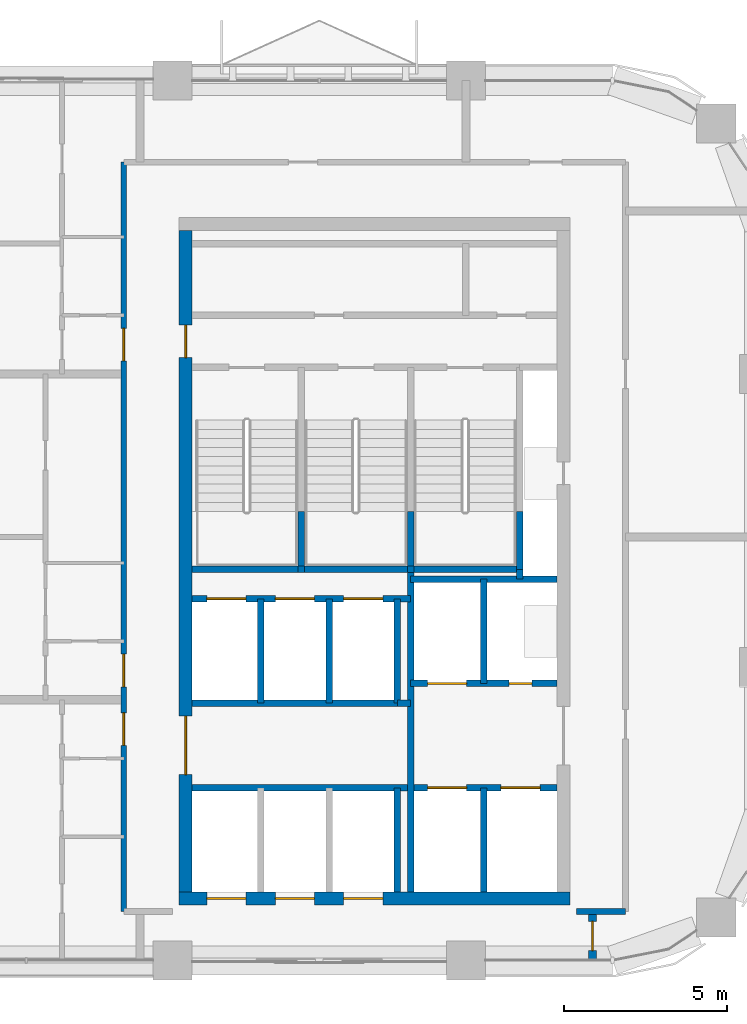
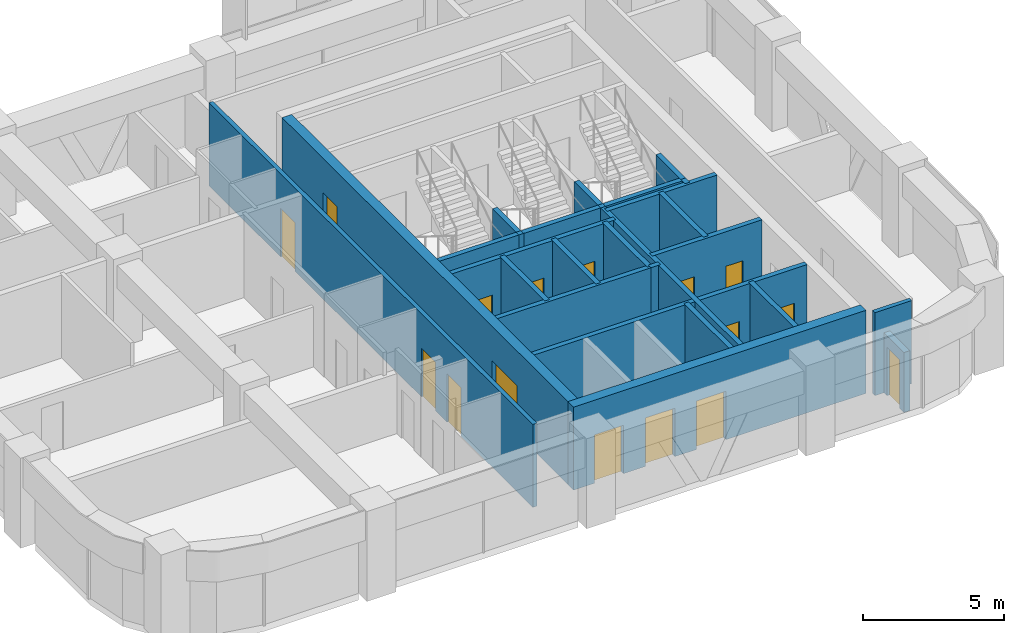
# One storey, part 7 of 10: 27 walls, 16 doors, 16 openings.
"""IFC4 building model written with IfcOpenShell, lengths in metres."""

import ifcopenshell
import ifcopenshell.guid

model = None  # the IFC model being written
_history = None  # IfcOwnerHistory: only IFC2X3 demands one
_inside = {}  # id of a spatial element -> (the spatial element, [elements in it])
_under = {}  # id of a project, library or spatial element -> (it, [spatial elements below it])
_declared = {}  # id of a project -> (the project, [libraries it declares])
_typed = {}  # id of a type object -> (the type object, [elements of that type])
_made_of = {}  # id of a material, layer set ... -> (it, [elements and type objects made of it])


def new_model(schema):
    """Start an empty IFC model of exactly this schema.

    Asked for "IFC4X3", IfcOpenShell would pick the latest addendum, in which some entities
    have other attributes; the version numbers below select the first issue.
    IFC2X3 requires an IfcOwnerHistory on every rooted entity: one is made here for all.
    """
    global model, _history
    if schema == "IFC4X3":
        model = ifcopenshell.file(schema_version=(4, 3, 0, 0))
    else:
        model = ifcopenshell.file(schema=schema)
    _inside.clear()
    _under.clear()
    _declared.clear()
    _typed.clear()
    _made_of.clear()
    _history = None
    if model.schema == "IFC2X3":
        org = make("IfcOrganization", Name="unknown")
        user = make(
            "IfcPersonAndOrganization",
            ThePerson=make("IfcPerson", FamilyName="unknown"),
            TheOrganization=org,
        )
        app = make(
            "IfcApplication",
            ApplicationDeveloper=org,
            Version="unknown",
            ApplicationFullName="unknown",
            ApplicationIdentifier="unknown",
        )
        _history = make(
            "IfcOwnerHistory",
            OwningUser=user,
            OwningApplication=app,
            ChangeAction="ADDED",
            CreationDate=0,
        )
    return model


def make(cls, **values):
    """One entity of the class cls with the attributes given. An attribute that is None is left unset."""
    return model.create_entity(
        cls, **{name: value for name, value in values.items() if value is not None}
    )


def rooted(cls, **values):
    """An entity with a GlobalId (a new one), such as an element, a storey or a relation."""
    return make(cls, GlobalId=ifcopenshell.guid.new(), OwnerHistory=_history, **values)


def si_unit(unit_type, name, prefix=None):
    """IfcSIUnit, for example si_unit("LENGTHUNIT", "METRE", prefix="MILLI")."""
    return make("IfcSIUnit", UnitType=unit_type, Prefix=prefix, Name=name)


def assignment(units):
    """IfcUnitAssignment: the units of a project."""
    return None if units is None else make("IfcUnitAssignment", Units=units)


def point(xyz):
    """IfcCartesianPoint."""
    return None if xyz is None else make("IfcCartesianPoint", Coordinates=xyz)


def direction(xyz):
    """IfcDirection."""
    return None if xyz is None else make("IfcDirection", DirectionRatios=xyz)


def frame(location, z_axis=None, x_axis=None):
    """IfcAxis2Placement3D, a coordinate frame: its origin and axes. An axis left out is left unset."""
    return make(
        "IfcAxis2Placement3D",
        Location=point(location),
        Axis=direction(z_axis),
        RefDirection=direction(x_axis),
    )


def frame_2d(location, x_axis=None):
    """IfcAxis2Placement2D, a coordinate frame in the plane: its origin and x axis."""
    return make(
        "IfcAxis2Placement2D", Location=point(location), RefDirection=direction(x_axis)
    )


def origin():
    """The frame at (0, 0, 0) with its axes left unset."""
    return frame((0.0, 0.0, 0.0))


def place(relative_to, where):
    """IfcLocalPlacement: puts the frame where relative to a parent placement (None: the world)."""
    return make(
        "IfcLocalPlacement", PlacementRelTo=relative_to, RelativePlacement=where
    )


def context(
    kind, dimensions, precision=None, world=None, true_north=None, identifier=None
):
    """IfcGeometricRepresentationContext, for example the 3D "Model" context."""
    return make(
        "IfcGeometricRepresentationContext",
        ContextIdentifier=identifier,
        ContextType=kind,
        CoordinateSpaceDimension=dimensions,
        Precision=precision,
        WorldCoordinateSystem=world,
        TrueNorth=true_north,
    )


def subcontext(parent, identifier, kind, view, scale=None):
    """IfcGeometricRepresentationSubContext, for example "Body" below "Model"."""
    return make(
        "IfcGeometricRepresentationSubContext",
        ContextIdentifier=identifier,
        ContextType=kind,
        ParentContext=parent,
        TargetScale=scale,
        TargetView=view,
    )


def project(units=None, contexts=None):
    """IfcProject with its units and contexts."""
    return rooted(
        "IfcProject",
        Name="project",
        RepresentationContexts=contexts,
        UnitsInContext=assignment(units),
    )


def spatial(cls, under=None, at=None, **own):
    """A site, building, storey or space (cls), placed at a placement, below another one or the project."""
    s = rooted(cls, ObjectPlacement=at, **own)
    if under is not None:
        _under.setdefault(under.id(), (under, []))[1].append(s)
    return s


def profile(cls, at=None, kind="AREA", **sizes):
    """A parametric profile (cls). Its sizes go by their IFC names, for example OverallWidth=200.0."""
    return make(cls, ProfileType=kind, Position=at, **sizes)


def rectangle(**sizes):
    """IfcRectangleProfileDef."""
    return profile("IfcRectangleProfileDef", **sizes)


def extrude(swept, where, along, depth):
    """IfcExtrudedAreaSolid: the profile swept, set in the frame where, extruded along a direction by depth."""
    return make(
        "IfcExtrudedAreaSolid",
        SweptArea=swept,
        Position=where,
        ExtrudedDirection=direction(along),
        Depth=depth,
    )


def shape(context_of_items, identifier, shape_type, items):
    """IfcShapeRepresentation: the items that make up one representation, for example the "Body"."""
    return make(
        "IfcShapeRepresentation",
        ContextOfItems=context_of_items,
        RepresentationIdentifier=identifier,
        RepresentationType=shape_type,
        Items=items,
    )


def material(Name=None, Category=None):
    """IfcMaterial."""
    return make("IfcMaterial", Name=Name, Category=Category)


def layer(
    of_material, thickness, ventilated=None, Name=None, Category=None, Priority=None
):
    """IfcMaterialLayer: one layer of a wall or slab, of a material (None: an air gap)."""
    return make(
        "IfcMaterialLayer",
        Material=of_material,
        LayerThickness=thickness,
        IsVentilated=ventilated,
        Name=Name,
        Category=Category,
        Priority=Priority,
    )


def layer_set(layers, Name=None):
    """IfcMaterialLayerSet."""
    return make("IfcMaterialLayerSet", MaterialLayers=layers, LayerSetName=Name)


def made_of(thing, what):
    """Note that an element or type object is made of a material, layer set ...; save() writes the relation."""
    if what is not None:
        _made_of.setdefault(what.id(), (what, []))[1].append(thing)
    return thing


def type_object(cls, material=None, **own):
    """A type object (cls), such as IfcWallType, which elements share."""
    return made_of(rooted(cls, **own), material)


def element(
    cls,
    number,
    at=None,
    inside=None,
    cuts=None,
    type_object=None,
    material=None,
    context=None,
    identifier="Body",
    shape_type=None,
    held_by="IfcProductDefinitionShape",
    body=None,
    shapes=None,
    **own,
):
    """One element of the class cls, such as IfcWall. Its Tag is "e" and its number.

    at: its placement. inside: the storey or other place that contains it. cuts: it is an
    opening in that element (IfcRelVoidsElement). A single representation is given by context,
    identifier, shape_type and body (its items); several are given by shapes. held_by: the class
    of the entity that holds the representations. save() writes the other relations.
    """
    e = rooted(cls, Tag="e%d" % number, ObjectPlacement=at, **own)
    if body is not None:
        shapes = [shape(context, identifier, shape_type, body)]
    if shapes is not None:
        e.Representation = make(held_by, Representations=shapes)
    if inside is not None:
        _inside.setdefault(inside.id(), (inside, []))[1].append(e)
    if cuts is not None:
        rooted(
            "IfcRelVoidsElement", RelatingBuildingElement=cuts, RelatedOpeningElement=e
        )
    if type_object is not None:
        _typed.setdefault(type_object.id(), (type_object, []))[1].append(e)
    return made_of(e, material)


def fill(opening, filler):
    """IfcRelFillsElement: the door or window that sits in an opening."""
    return rooted(
        "IfcRelFillsElement",
        RelatingOpeningElement=opening,
        RelatedBuildingElement=filler,
    )


def aggregate(whole, parts):
    """IfcRelAggregates: a whole, such as a stair, and the parts it consists of."""
    return rooted("IfcRelAggregates", RelatingObject=whole, RelatedObjects=parts)


def save(model, path):
    """Write the relations noted so far, then the file.

    IfcRelAggregates (storeys below a building ...), IfcRelContainedInSpatialStructure (elements
    in a storey), IfcRelDefinesByType, IfcRelAssociatesMaterial and IfcRelDeclares: one each for
    every whole, place, type object, material and project.
    """
    for whole, parts in _under.values():
        aggregate(whole, parts)
    for where, things in _inside.values():
        rooted(
            "IfcRelContainedInSpatialStructure",
            RelatedElements=things,
            RelatingStructure=where,
        )
    for kind, things in _typed.values():
        rooted("IfcRelDefinesByType", RelatedObjects=things, RelatingType=kind)
    for what, things in _made_of.values():
        rooted("IfcRelAssociatesMaterial", RelatedObjects=things, RelatingMaterial=what)
    for by, libraries in _declared.values():
        rooted("IfcRelDeclares", RelatingContext=by, RelatedDefinitions=libraries)
    model.write(path)


model = new_model("IFC4")

# Units and contexts
model_context = context("Model", 3, precision=1e-05, world=origin(), true_north=direction((0.0, 1.0)))
body_context = subcontext(model_context, "Body", "Model", "MODEL_VIEW")
ifc_project = project(units=[si_unit("LENGTHUNIT", "METRE"), si_unit("AREAUNIT", "SQUARE_METRE"), si_unit("VOLUMEUNIT", "CUBIC_METRE"), si_unit("PLANEANGLEUNIT", "RADIAN"), si_unit("MASSUNIT", "GRAM", prefix="KILO")], contexts=[model_context])

# Site, building, storey
site_placement = place(None, origin())
site = spatial("IfcSite", under=ifc_project, at=site_placement, CompositionType="ELEMENT")
building_placement = place(site_placement, origin())
building = spatial("IfcBuilding", under=site, at=building_placement, Name="Tessera Arch", CompositionType="ELEMENT")
storey_placement = place(building_placement, frame((0.0, 0.0, 242.300048828125)))
storey = spatial("IfcBuildingStorey", under=building, at=storey_placement, Name="L58", CompositionType="ELEMENT", Elevation=242.300048828125)

# Wall
ifc_material_1 = material(Name="Gypsum board on steel stud", Category="steel")
ifc_layer_1 = layer(ifc_material_1, 0.125)
ifc_layer_set_1 = layer_set([ifc_layer_1], Name="Core partition 125 EI 60")
wall_type_1 = type_object("IfcWallType", Name="Core partition 125 EI 60", PredefinedType="PARTITIONING", material=ifc_layer_set_1)
wall_1_placement = place(storey_placement, frame((42.89990234375, 34.89990234375, 0.0), z_axis=(0.0, 0.0, 1.0), x_axis=(1.0, 0.0, 0.0)))
element("IfcWall", 1, at=wall_1_placement, inside=storey, type_object=wall_type_1, Name="L58 C1 partition wall 19", PredefinedType="PARTITIONING", context=body_context, shape_type="SweptSolid", body=[
    extrude(rectangle(XDim=0.400146484375, YDim=0.199951171875, at=frame_2d((0.2001953125, 0.0))), origin(), (0.0, 0.0, 1.0), 3.599853515625),
])

# Wall, openings, doors
ifc_material_2 = material(Name="Concrete C50/60", Category="concrete")
ifc_layer_2 = layer(ifc_material_2, 0.39990234375)
ifc_layer_set_2 = layer_set([ifc_layer_2], Name="Core shell wall 400 C50-60")
wall_type_2 = type_object("IfcWallType", Name="Core shell wall 400 C50-60", PredefinedType="SHEAR", material=ifc_layer_set_2)
wall_2_placement = place(storey_placement, frame((36.199951171875, 28.89990234375, 0.0), z_axis=(0.0, 0.0, 1.0), x_axis=(1.0, 0.0, 0.0)))
wall_2 = element("IfcWall", 2, at=wall_2_placement, inside=storey, type_object=wall_type_2, Name="L58 C1 core wall S", PredefinedType="SHEAR", context=body_context, shape_type="SweptSolid", body=[
    extrude(rectangle(XDim=12.0, YDim=0.39990234375, at=frame_2d((6.0, 0.0))), origin(), (0.0, 0.0, 1.0), 3.599853515625),
])
opening_1_placement = place(wall_2_placement, frame((0.85009765625, 0.0, 0.0)))
opening_1 = element("IfcOpeningElement", 3, at=opening_1_placement, cuts=wall_2, Name="Opening L58-C01", PredefinedType="OPENING", context=body_context, shape_type="SweptSolid", body=[
    extrude(rectangle(XDim=1.199951171875, YDim=2.10009765625, at=frame_2d((0.60009765625, 1.050048828125))), frame((0.0, 0.2099609375, 0.0), z_axis=(0.0, -1.0, 0.0), x_axis=(1.0, 0.0, 0.0)), (0.0, 0.0, 1.0), 0.419921875),
])
opening_2_placement = place(wall_2_placement, frame((2.949951171875, 0.0, 0.0)))
opening_2 = element("IfcOpeningElement", 4, at=opening_2_placement, cuts=wall_2, Name="Opening L58-C03", PredefinedType="OPENING", context=body_context, shape_type="SweptSolid", body=[
    extrude(rectangle(XDim=1.199951171875, YDim=2.10009765625, at=frame_2d((0.60009765625, 1.050048828125))), frame((0.0, 0.2099609375, 0.0), z_axis=(0.0, -1.0, 0.0), x_axis=(1.0, 0.0, 0.0)), (0.0, 0.0, 1.0), 0.419921875),
])
opening_3_placement = place(wall_2_placement, frame((5.050048828125, 0.0, 0.0)))
opening_3 = element("IfcOpeningElement", 5, at=opening_3_placement, cuts=wall_2, Name="Opening L58-C05", PredefinedType="OPENING", context=body_context, shape_type="SweptSolid", body=[
    extrude(rectangle(XDim=1.199951171875, YDim=2.10009765625, at=frame_2d((0.60009765625, 1.050048828125))), frame((0.0, 0.2099609375, 0.0), z_axis=(0.0, -1.0, 0.0), x_axis=(1.0, 0.0, 0.0)), (0.0, 0.0, 1.0), 0.419921875),
])
ifc_material_3 = material(Name="Stainless steel AISI 304", Category="steel")
door_type_1 = type_object("IfcDoorType", Name="Sliding landing door 1200 x 2100", OperationType="SLIDING_TO_LEFT", PredefinedType="DOOR", material=ifc_material_3)
door_1_placement = place(opening_1_placement, origin())
door_1 = element("IfcDoor", 6, at=door_1_placement, inside=storey, type_object=door_type_1, Name="L58 HR1 lift landing door C01 type LD", OperationType="SLIDING_TO_LEFT", OverallHeight=2.10009765625, OverallWidth=1.199951171875, PredefinedType="DOOR", context=body_context, shape_type="SweptSolid", body=[
    extrude(rectangle(XDim=1.199951171875, YDim=2.10009765625, at=frame_2d((0.60009765625, 1.050048828125))), frame((0.0, 0.02490234375, 0.0), z_axis=(0.0, -1.0, 0.0), x_axis=(1.0, 0.0, 0.0)), (0.0, 0.0, 1.0), 0.050048828125),
])
fill(opening_1, door_1)
door_2_placement = place(opening_2_placement, origin())
door_2 = element("IfcDoor", 7, at=door_2_placement, inside=storey, type_object=door_type_1, Name="L58 HR2 lift landing door C03 type LD", OperationType="SLIDING_TO_LEFT", OverallHeight=2.10009765625, OverallWidth=1.199951171875, PredefinedType="DOOR", context=body_context, shape_type="SweptSolid", body=[
    extrude(rectangle(XDim=1.199951171875, YDim=2.10009765625, at=frame_2d((0.60009765625, 1.050048828125))), frame((0.0, 0.02490234375, 0.0), z_axis=(0.0, -1.0, 0.0), x_axis=(1.0, 0.0, 0.0)), (0.0, 0.0, 1.0), 0.050048828125),
])
fill(opening_2, door_2)
door_3_placement = place(opening_3_placement, origin())
door_3 = element("IfcDoor", 8, at=door_3_placement, inside=storey, type_object=door_type_1, Name="L58 HR3 lift landing door C05 type LD", OperationType="SLIDING_TO_LEFT", OverallHeight=2.10009765625, OverallWidth=1.199951171875, PredefinedType="DOOR", context=body_context, shape_type="SweptSolid", body=[
    extrude(rectangle(XDim=1.199951171875, YDim=2.10009765625, at=frame_2d((0.60009765625, 1.050048828125))), frame((0.0, 0.02490234375, 0.0), z_axis=(0.0, -1.0, 0.0), x_axis=(1.0, 0.0, 0.0)), (0.0, 0.0, 1.0), 0.050048828125),
])
fill(opening_3, door_3)

wall_3_placement = place(storey_placement, frame((36.39990234375, 29.10009765625, 0.0), z_axis=(0.0, 0.0, 1.0), x_axis=(0.0, 1.0, 0.0)))
wall_3 = element("IfcWall", 9, at=wall_3_placement, inside=storey, type_object=wall_type_2, Name="L58 C1 core wall W", PredefinedType="SHEAR", context=body_context, shape_type="SweptSolid", body=[
    extrude(rectangle(XDim=20.2998046875, YDim=0.39990234375, at=frame_2d((10.14990234375, 0.0))), origin(), (0.0, 0.0, 1.0), 3.599853515625),
])
opening_4_placement = place(wall_3_placement, frame((3.60009765625, 0.0, 0.0)))
opening_4 = element("IfcOpeningElement", 10, at=opening_4_placement, cuts=wall_3, Name="Opening L58-C10", PredefinedType="OPENING", context=body_context, shape_type="SweptSolid", body=[
    extrude(rectangle(XDim=1.800048828125, YDim=2.10009765625, at=frame_2d((0.89990234375, 1.050048828125))), frame((0.0, 0.2099609375, 0.0), z_axis=(0.0, -1.0, 0.0), x_axis=(1.0, 0.0, 0.0)), (0.0, 0.0, 1.0), 0.419921875),
])
opening_5_placement = place(wall_3_placement, frame((16.39990234375, 0.0, 0.0)))
opening_5 = element("IfcOpeningElement", 11, at=opening_5_placement, cuts=wall_3, Name="Opening L58-C17", PredefinedType="OPENING", context=body_context, shape_type="SweptSolid", body=[
    extrude(rectangle(XDim=1.0, YDim=2.10009765625, at=frame_2d((0.5, 1.050048828125))), frame((0.0, 0.2099609375, 0.0), z_axis=(0.0, -1.0, 0.0), x_axis=(1.0, 0.0, 0.0)), (0.0, 0.0, 1.0), 0.419921875),
])
ifc_material_4 = material(Name="Steel door leaf", Category="steel")
door_type_2 = type_object("IfcDoorType", Name="Corridor door FD60 1000 x 2100", OperationType="SINGLE_SWING_LEFT", PredefinedType="DOOR", material=ifc_material_4)
door_4_placement = place(opening_5_placement, origin())
door_4 = element("IfcDoor", 12, at=door_4_placement, inside=storey, type_object=door_type_2, Name="L58 C1 door 17 C17 type D12", OperationType="SINGLE_SWING_RIGHT", OverallHeight=2.10009765625, OverallWidth=1.0, PredefinedType="DOOR", context=body_context, shape_type="SweptSolid", body=[
    extrude(rectangle(XDim=1.0, YDim=2.10009765625, at=frame_2d((0.5, 1.050048828125))), frame((0.0, 0.02490234375, 0.0), z_axis=(0.0, -1.0, 0.0), x_axis=(1.0, 0.0, 0.0)), (0.0, 0.0, 1.0), 0.050048828125),
])
fill(opening_5, door_4)
ifc_material_5 = material(Name="Glazed steel door leaf", Category="steel")
door_type_3 = type_object("IfcDoorType", Name="Lobby double door FD30S 1800 x 2100", OperationType="DOUBLE_DOOR_SINGLE_SWING", PredefinedType="DOOR", material=ifc_material_5)
door_5_placement = place(opening_4_placement, origin())
door_5 = element("IfcDoor", 13, at=door_5_placement, inside=storey, type_object=door_type_3, Name="L58 C1 door 10 C10 type D06", OperationType="DOUBLE_DOOR_SINGLE_SWING", OverallHeight=2.10009765625, OverallWidth=1.800048828125, PredefinedType="DOOR", context=body_context, shape_type="SweptSolid", body=[
    extrude(rectangle(XDim=1.800048828125, YDim=2.10009765625, at=frame_2d((0.89990234375, 1.050048828125))), frame((0.0, 0.02490234375, 0.0), z_axis=(0.0, -1.0, 0.0), x_axis=(1.0, 0.0, 0.0)), (0.0, 0.0, 1.0), 0.050048828125),
])
fill(opening_4, door_5)

# Wall
ifc_material_6 = material(Name="Gypsum board on deep steel stud with mineral wool", Category="steel")
ifc_layer_3 = layer(ifc_material_6, 0.175048828125)
ifc_layer_set_3 = layer_set([ifc_layer_3], Name="Corridor wall 175 EI 60")
wall_type_3 = type_object("IfcWallType", Name="Corridor wall 175 EI 60", PredefinedType="PARTITIONING", material=ifc_layer_set_3)
wall_4_placement = place(storey_placement, frame((48.39990234375, 28.5, 0.0), z_axis=(0.0, 0.0, 1.0), x_axis=(1.0, 0.0, 0.0)))
element("IfcWall", 14, at=wall_4_placement, inside=storey, type_object=wall_type_3, Name="L58 partition 2", PredefinedType="PARTITIONING", context=body_context, shape_type="SweptSolid", body=[
    extrude(rectangle(XDim=1.5, YDim=0.175048828125, at=frame_2d((0.75, 0.0))), origin(), (0.0, 0.0, 1.0), 3.599853515625),
])

# Wall, openings, doors
wall_5_placement = place(storey_placement, frame((34.5, 28.5, 0.0), z_axis=(0.0, 0.0, 1.0), x_axis=(0.0, 1.0, 0.0)))
wall_5 = element("IfcWall", 15, at=wall_5_placement, inside=storey, type_object=wall_type_3, Name="L58 partition 4", PredefinedType="PARTITIONING", context=body_context, shape_type="SweptSolid", body=[
    extrude(rectangle(XDim=23.0, YDim=0.175048828125, at=frame_2d((11.5, 0.0))), origin(), (0.0, 0.0, 1.0), 3.599853515625),
])
opening_6_placement = place(wall_5_placement, frame((5.10009765625, 0.0, 0.0)))
opening_6 = element("IfcOpeningElement", 16, at=opening_6_placement, cuts=wall_5, Name="Opening L58-D001", PredefinedType="OPENING", context=body_context, shape_type="SweptSolid", body=[
    extrude(rectangle(XDim=1.0, YDim=2.10009765625, at=frame_2d((0.5, 1.050048828125))), frame((0.0, 0.097412109375, 0.0), z_axis=(0.0, -1.0, 0.0), x_axis=(1.0, 0.0, 0.0)), (0.0, 0.0, 1.0), 0.195068359375),
])
opening_7_placement = place(wall_5_placement, frame((6.89990234375, 0.0, 0.0)))
opening_7 = element("IfcOpeningElement", 17, at=opening_7_placement, cuts=wall_5, Name="Opening L58-D007", PredefinedType="OPENING", context=body_context, shape_type="SweptSolid", body=[
    extrude(rectangle(XDim=1.0, YDim=2.10009765625, at=frame_2d((0.5, 1.050048828125))), frame((0.0, 0.097412109375, 0.0), z_axis=(0.0, -1.0, 0.0), x_axis=(1.0, 0.0, 0.0)), (0.0, 0.0, 1.0), 0.195068359375),
])
opening_8_placement = place(wall_5_placement, frame((16.89990234375, 0.0, 0.0)))
opening_8 = element("IfcOpeningElement", 18, at=opening_8_placement, cuts=wall_5, Name="Opening L58-D015", PredefinedType="OPENING", context=body_context, shape_type="SweptSolid", body=[
    extrude(rectangle(XDim=1.0, YDim=2.10009765625, at=frame_2d((0.5, 1.050048828125))), frame((0.0, 0.097412109375, 0.0), z_axis=(0.0, -1.0, 0.0), x_axis=(1.0, 0.0, 0.0)), (0.0, 0.0, 1.0), 0.195068359375),
])
ifc_material_7 = material(Name="Fire-rated door leaf")
door_type_4 = type_object("IfcDoorType", Name="Entrance door FD30S 1000 x 2100", OperationType="SINGLE_SWING_LEFT", PredefinedType="DOOR", material=ifc_material_7)
door_6_placement = place(opening_6_placement, origin())
door_6 = element("IfcDoor", 19, at=door_6_placement, inside=storey, type_object=door_type_4, Name="L58 door D001 type D03", OperationType="SINGLE_SWING_RIGHT", OverallHeight=2.10009765625, OverallWidth=1.0, PredefinedType="DOOR", context=body_context, shape_type="SweptSolid", body=[
    extrude(rectangle(XDim=1.0, YDim=2.10009765625, at=frame_2d((0.5, 1.050048828125))), frame((0.0, 0.02490234375, 0.0), z_axis=(0.0, -1.0, 0.0), x_axis=(1.0, 0.0, 0.0)), (0.0, 0.0, 1.0), 0.050048828125),
])
fill(opening_6, door_6)
door_7_placement = place(opening_7_placement, origin())
door_7 = element("IfcDoor", 20, at=door_7_placement, inside=storey, type_object=door_type_4, Name="L58 door D007 type D03", OperationType="SINGLE_SWING_RIGHT", OverallHeight=2.10009765625, OverallWidth=1.0, PredefinedType="DOOR", context=body_context, shape_type="SweptSolid", body=[
    extrude(rectangle(XDim=1.0, YDim=2.10009765625, at=frame_2d((0.5, 1.050048828125))), frame((0.0, 0.02490234375, 0.0), z_axis=(0.0, -1.0, 0.0), x_axis=(1.0, 0.0, 0.0)), (0.0, 0.0, 1.0), 0.050048828125),
])
fill(opening_7, door_7)
door_8_placement = place(opening_8_placement, origin())
door_8 = element("IfcDoor", 21, at=door_8_placement, inside=storey, type_object=door_type_4, Name="L58 door D015 type D03", OperationType="SINGLE_SWING_RIGHT", OverallHeight=2.10009765625, OverallWidth=1.0, PredefinedType="DOOR", context=body_context, shape_type="SweptSolid", body=[
    extrude(rectangle(XDim=1.0, YDim=2.10009765625, at=frame_2d((0.5, 1.050048828125))), frame((0.0, 0.02490234375, 0.0), z_axis=(0.0, -1.0, 0.0), x_axis=(1.0, 0.0, 0.0)), (0.0, 0.0, 1.0), 0.050048828125),
])
fill(opening_8, door_8)

# Wall, opening, door
ifc_material_8 = material(Name="Double gypsum board on twin steel stud with acoustic mineral wool", Category="steel")
ifc_layer_4 = layer(ifc_material_8, 0.25)
ifc_layer_set_4 = layer_set([ifc_layer_4], Name="Party wall 250 EI 60")
wall_type_4 = type_object("IfcWallType", Name="Party wall 250 EI 60", PredefinedType="PARTITIONING", material=ifc_layer_set_4)
wall_6_placement = place(storey_placement, frame((48.888916015625, 27.0, 0.0), z_axis=(0.0, 0.0, 1.0), x_axis=(0.0, 1.0, 0.0)))
wall_6 = element("IfcWall", 22, at=wall_6_placement, inside=storey, type_object=wall_type_4, Name="L58 partition 23", PredefinedType="PARTITIONING", context=body_context, shape_type="SweptSolid", body=[
    extrude(rectangle(XDim=1.5, YDim=0.25, at=frame_2d((0.75, 0.0))), origin(), (0.0, 0.0, 1.0), 2.599853515625),
])
opening_9_placement = place(wall_6_placement, frame((0.300048828125, 0.0, 0.0)))
opening_9 = element("IfcOpeningElement", 23, at=opening_9_placement, cuts=wall_6, Name="Opening L58-D024", PredefinedType="OPENING", context=body_context, shape_type="SweptSolid", body=[
    extrude(rectangle(XDim=0.89990234375, YDim=2.10009765625, at=frame_2d((0.449951171875, 1.050048828125))), frame((0.0, 0.135009765625, 0.0), z_axis=(0.0, -1.0, 0.0), x_axis=(1.0, 0.0, 0.0)), (0.0, 0.0, 1.0), 0.27001953125),
])
ifc_material_9 = material(Name="Timber door leaf", Category="wood")
door_type_5 = type_object("IfcDoorType", Name="Room door 900 x 2100", OperationType="SINGLE_SWING_LEFT", PredefinedType="DOOR", material=ifc_material_9)
door_9_placement = place(opening_9_placement, origin())
door_9 = element("IfcDoor", 24, at=door_9_placement, inside=storey, type_object=door_type_5, Name="L58 door D024 type D01", OperationType="SINGLE_SWING_RIGHT", OverallHeight=2.10009765625, OverallWidth=0.89990234375, PredefinedType="DOOR", context=body_context, shape_type="SweptSolid", body=[
    extrude(rectangle(XDim=0.89990234375, YDim=2.10009765625, at=frame_2d((0.449951171875, 1.050048828125))), frame((0.0, 0.02490234375, 0.0), z_axis=(0.0, -1.0, 0.0), x_axis=(1.0, 0.0, 0.0)), (0.0, 0.0, 1.0), 0.050048828125),
])
fill(opening_9, door_9)

# Walls
ifc_material_10 = material(Name="Concrete C40/50", Category="concrete")
ifc_layer_5 = layer(ifc_material_10, 0.199951171875)
ifc_layer_set_5 = layer_set([ifc_layer_5], Name="Shaft wall 200 EI 120")
wall_type_5 = type_object("IfcWallType", Name="Shaft wall 200 EI 120", PredefinedType="SOLIDWALL", material=ifc_layer_set_5)
for number, where, z_axis, x_axis, name in (
    (25, (38.699951171875, 34.89990234375, 0.0), (0.0, 0.0, 1.0), (0.0, 1.0, 0.0), "L58 C1 shaft wall 2"),
    (26, (40.800048828125, 34.89990234375, 0.0), (0.0, 0.0, 1.0), (0.0, 1.0, 0.0), "L58 C1 shaft wall 6"),
):
    element("IfcWall", number, at=place(storey_placement, frame(where, z_axis=z_axis, x_axis=x_axis)), inside=storey, type_object=wall_type_5, Name=name, PredefinedType="SOLIDWALL", context=body_context, shape_type="SweptSolid", body=[
        extrude(rectangle(XDim=3.2001953125, YDim=0.199951171875, at=frame_2d((1.60009765625, 0.0))), origin(), (0.0, 0.0, 1.0), 3.599853515625),
    ])
wall_7_placement = place(storey_placement, frame((42.89990234375, 29.10009765625, 0.0), z_axis=(0.0, 0.0, 1.0), x_axis=(0.0, 1.0, 0.0)))
element("IfcWall", 27, at=wall_7_placement, inside=storey, type_object=wall_type_5, Name="L58 C1 shaft wall 7", PredefinedType="SOLIDWALL", context=body_context, shape_type="SweptSolid", body=[
    extrude(rectangle(XDim=3.199951171875, YDim=0.199951171875, at=frame_2d((1.60009765625, 0.0))), origin(), (0.0, 0.0, 1.0), 3.599853515625),
])
wall_8_placement = place(storey_placement, frame((42.89990234375, 34.89990234375, 0.0), z_axis=(0.0, 0.0, 1.0), x_axis=(0.0, 1.0, 0.0)))
element("IfcWall", 28, at=wall_8_placement, inside=storey, type_object=wall_type_5, Name="L58 C1 shaft wall 8", PredefinedType="SOLIDWALL", context=body_context, shape_type="SweptSolid", body=[
    extrude(rectangle(XDim=3.2001953125, YDim=0.199951171875, at=frame_2d((1.60009765625, 0.0))), origin(), (0.0, 0.0, 1.0), 3.599853515625),
])
wall_9_placement = place(storey_placement, frame((43.300048828125, 29.10009765625, 0.0), z_axis=(0.0, 0.0, 1.0), x_axis=(0.0, 1.0, 0.0)))
element("IfcWall", 29, at=wall_9_placement, inside=storey, type_object=wall_type_5, Name="L58 C1 shaft wall 9", PredefinedType="SOLIDWALL", context=body_context, shape_type="SweptSolid", body=[
    extrude(rectangle(XDim=9.89990234375, YDim=0.199951171875, at=frame_2d((4.949951171875, 0.0))), origin(), (0.0, 0.0, 1.0), 3.599853515625),
])
for number, where, z_axis, x_axis, name in (
    (30, (45.550048828125, 29.10009765625, 0.0), (0.0, 0.0, 1.0), (0.0, 1.0, 0.0), "L58 C1 shaft wall 13"),
    (31, (45.550048828125, 35.5, 0.0), (0.0, 0.0, 1.0), (0.0, 1.0, 0.0), "L58 C1 shaft wall 14"),
):
    element("IfcWall", number, at=place(storey_placement, frame(where, z_axis=z_axis, x_axis=x_axis)), inside=storey, type_object=wall_type_5, Name=name, PredefinedType="SOLIDWALL", context=body_context, shape_type="SweptSolid", body=[
        extrude(rectangle(XDim=3.199951171875, YDim=0.199951171875, at=frame_2d((1.60009765625, 0.0))), origin(), (0.0, 0.0, 1.0), 3.599853515625),
    ])
wall_10_placement = place(storey_placement, frame((46.64990234375, 38.699951171875, 0.0), z_axis=(0.0, 0.0, 1.0), x_axis=(0.0, 1.0, 0.0)))
element("IfcWall", 32, at=wall_10_placement, inside=storey, type_object=wall_type_5, Name="L58 C1 shaft wall 15", PredefinedType="SOLIDWALL", context=body_context, shape_type="SweptSolid", body=[
    extrude(rectangle(XDim=0.300048828125, YDim=0.199951171875, at=frame_2d((0.14990234375, 0.0))), origin(), (0.0, 0.0, 1.0), 3.599853515625),
])

# Wall, openings, doors
wall_11_placement = place(storey_placement, frame((36.60009765625, 32.300048828125, 0.0), z_axis=(0.0, 0.0, 1.0), x_axis=(1.0, 0.0, 0.0)))
wall_11 = element("IfcWall", 33, at=wall_11_placement, inside=storey, type_object=wall_type_5, Name="L58 C1 shaft wall 18", PredefinedType="SOLIDWALL", context=body_context, shape_type="SweptSolid", body=[
    extrude(rectangle(XDim=11.199951171875, YDim=0.199951171875, at=frame_2d((5.60009765625, 0.0))), origin(), (0.0, 0.0, 1.0), 3.599853515625),
])
opening_10_placement = place(wall_11_placement, frame((7.22509765625, 0.0, 0.0)))
opening_10 = element("IfcOpeningElement", 34, at=opening_10_placement, cuts=wall_11, Name="Opening L58-C07", PredefinedType="OPENING", context=body_context, shape_type="SweptSolid", body=[
    extrude(rectangle(XDim=1.199951171875, YDim=2.10009765625, at=frame_2d((0.60009765625, 1.050048828125))), frame((0.0, 0.10986328125, 0.0), z_axis=(0.0, -1.0, 0.0), x_axis=(1.0, 0.0, 0.0)), (0.0, 0.0, 1.0), 0.219970703125),
])
opening_11_placement = place(wall_11_placement, frame((9.47509765625, 0.0, 0.0)))
opening_11 = element("IfcOpeningElement", 35, at=opening_11_placement, cuts=wall_11, Name="Opening L58-C08", PredefinedType="OPENING", context=body_context, shape_type="SweptSolid", body=[
    extrude(rectangle(XDim=1.199951171875, YDim=2.10009765625, at=frame_2d((0.60009765625, 1.050048828125))), frame((0.0, 0.10986328125, 0.0), z_axis=(0.0, -1.0, 0.0), x_axis=(1.0, 0.0, 0.0)), (0.0, 0.0, 1.0), 0.219970703125),
])
door_10_placement = place(opening_10_placement, origin())
door_10 = element("IfcDoor", 36, at=door_10_placement, inside=storey, type_object=door_type_1, Name="L58 FF1 lift landing door C07 type LD", OperationType="SLIDING_TO_LEFT", OverallHeight=2.10009765625, OverallWidth=1.199951171875, PredefinedType="DOOR", context=body_context, shape_type="SweptSolid", body=[
    extrude(rectangle(XDim=1.199951171875, YDim=2.10009765625, at=frame_2d((0.60009765625, 1.050048828125))), frame((0.0, 0.02490234375, 0.0), z_axis=(0.0, -1.0, 0.0), x_axis=(1.0, 0.0, 0.0)), (0.0, 0.0, 1.0), 0.050048828125),
])
fill(opening_10, door_10)
door_11_placement = place(opening_11_placement, origin())
door_11 = element("IfcDoor", 37, at=door_11_placement, inside=storey, type_object=door_type_1, Name="L58 FF2 lift landing door C08 type LD", OperationType="SLIDING_TO_LEFT", OverallHeight=2.10009765625, OverallWidth=1.199951171875, PredefinedType="DOOR", context=body_context, shape_type="SweptSolid", body=[
    extrude(rectangle(XDim=1.199951171875, YDim=2.10009765625, at=frame_2d((0.60009765625, 1.050048828125))), frame((0.0, 0.02490234375, 0.0), z_axis=(0.0, -1.0, 0.0), x_axis=(1.0, 0.0, 0.0)), (0.0, 0.0, 1.0), 0.050048828125),
])
fill(opening_11, door_11)

# Wall
wall_12_placement = place(storey_placement, frame((36.60009765625, 34.89990234375, 0.0), z_axis=(0.0, 0.0, 1.0), x_axis=(1.0, 0.0, 0.0)))
element("IfcWall", 38, at=wall_12_placement, inside=storey, type_object=wall_type_5, Name="L58 C1 shaft wall 20", PredefinedType="SOLIDWALL", context=body_context, shape_type="SweptSolid", body=[
    extrude(rectangle(XDim=6.2998046875, YDim=0.199951171875, at=frame_2d((3.14990234375, 0.0))), origin(), (0.0, 0.0, 1.0), 3.599853515625),
])

# Wall, openings, doors
wall_13_placement = place(storey_placement, frame((43.300048828125, 35.5, 0.0), z_axis=(0.0, 0.0, 1.0), x_axis=(1.0, 0.0, 0.0)))
wall_13 = element("IfcWall", 39, at=wall_13_placement, inside=storey, type_object=wall_type_5, Name="L58 C1 shaft wall 21", PredefinedType="SOLIDWALL", context=body_context, shape_type="SweptSolid", body=[
    extrude(rectangle(XDim=4.5, YDim=0.199951171875, at=frame_2d((2.25, 0.0))), origin(), (0.0, 0.0, 1.0), 3.599853515625),
])
opening_12_placement = place(wall_13_placement, frame((0.52490234375, 0.0, 0.0)))
opening_12 = element("IfcOpeningElement", 40, at=opening_12_placement, cuts=wall_13, Name="Opening L58-C09", PredefinedType="OPENING", context=body_context, shape_type="SweptSolid", body=[
    extrude(rectangle(XDim=1.199951171875, YDim=2.10009765625, at=frame_2d((0.60009765625, 1.050048828125))), frame((0.0, 0.10986328125, 0.0), z_axis=(0.0, -1.0, 0.0), x_axis=(1.0, 0.0, 0.0)), (0.0, 0.0, 1.0), 0.219970703125),
])
opening_13_placement = place(wall_13_placement, frame((3.02490234375, 0.0, 0.0)))
opening_13 = element("IfcOpeningElement", 41, at=opening_13_placement, cuts=wall_13, Name="Opening L58-C16", PredefinedType="OPENING", context=body_context, shape_type="SweptSolid", body=[
    extrude(rectangle(XDim=0.699951171875, YDim=2.10009765625, at=frame_2d((0.35009765625, 1.050048828125))), frame((0.0, 0.10986328125, 0.0), z_axis=(0.0, -1.0, 0.0), x_axis=(1.0, 0.0, 0.0)), (0.0, 0.0, 1.0), 0.219970703125),
])
ifc_material_11 = material(Name="Steel door leaf", Category="steel")
door_type_6 = type_object("IfcDoorType", Name="Service shaft door FD60 700 x 2100", OperationType="SINGLE_SWING_LEFT", PredefinedType="DOOR", material=ifc_material_11)
door_12_placement = place(opening_13_placement, origin())
door_12 = element("IfcDoor", 42, at=door_12_placement, inside=storey, type_object=door_type_6, Name="L58 C1 door 16 C16 type D07", OperationType="SINGLE_SWING_RIGHT", OverallHeight=2.10009765625, OverallWidth=0.699951171875, PredefinedType="DOOR", context=body_context, shape_type="SweptSolid", body=[
    extrude(rectangle(XDim=0.699951171875, YDim=2.10009765625, at=frame_2d((0.35009765625, 1.050048828125))), frame((0.0, 0.02490234375, 0.0), z_axis=(0.0, -1.0, 0.0), x_axis=(1.0, 0.0, 0.0)), (0.0, 0.0, 1.0), 0.050048828125),
])
fill(opening_13, door_12)
door_13_placement = place(opening_12_placement, origin())
door_13 = element("IfcDoor", 43, at=door_13_placement, inside=storey, type_object=door_type_1, Name="L58 SV2 lift landing door C09 type LD", OperationType="SLIDING_TO_LEFT", OverallHeight=2.10009765625, OverallWidth=1.199951171875, PredefinedType="DOOR", context=body_context, shape_type="SweptSolid", body=[
    extrude(rectangle(XDim=1.199951171875, YDim=2.10009765625, at=frame_2d((0.60009765625, 1.050048828125))), frame((0.0, 0.02490234375, 0.0), z_axis=(0.0, -1.0, 0.0), x_axis=(1.0, 0.0, 0.0)), (0.0, 0.0, 1.0), 0.050048828125),
])
fill(opening_12, door_13)

wall_14_placement = place(storey_placement, frame((36.60009765625, 38.10009765625, 0.0), z_axis=(0.0, 0.0, 1.0), x_axis=(1.0, 0.0, 0.0)))
wall_14 = element("IfcWall", 44, at=wall_14_placement, inside=storey, type_object=wall_type_5, Name="L58 C1 shaft wall 22", PredefinedType="SOLIDWALL", context=body_context, shape_type="SweptSolid", body=[
    extrude(rectangle(XDim=6.699951171875, YDim=0.199951171875, at=frame_2d((3.35009765625, 0.0))), origin(), (0.0, 0.0, 1.0), 3.599853515625),
])
opening_14_placement = place(wall_14_placement, frame((0.449951171875, 0.0, 0.0)))
opening_14 = element("IfcOpeningElement", 45, at=opening_14_placement, cuts=wall_14, Name="Opening L58-C02", PredefinedType="OPENING", context=body_context, shape_type="SweptSolid", body=[
    extrude(rectangle(XDim=1.199951171875, YDim=2.10009765625, at=frame_2d((0.60009765625, 1.050048828125))), frame((0.0, 0.10986328125, 0.0), z_axis=(0.0, -1.0, 0.0), x_axis=(1.0, 0.0, 0.0)), (0.0, 0.0, 1.0), 0.219970703125),
])
opening_15_placement = place(wall_14_placement, frame((2.550048828125, 0.0, 0.0)))
opening_15 = element("IfcOpeningElement", 46, at=opening_15_placement, cuts=wall_14, Name="Opening L58-C04", PredefinedType="OPENING", context=body_context, shape_type="SweptSolid", body=[
    extrude(rectangle(XDim=1.199951171875, YDim=2.10009765625, at=frame_2d((0.60009765625, 1.050048828125))), frame((0.0, 0.10986328125, 0.0), z_axis=(0.0, -1.0, 0.0), x_axis=(1.0, 0.0, 0.0)), (0.0, 0.0, 1.0), 0.219970703125),
])
opening_16_placement = place(wall_14_placement, frame((4.64990234375, 0.0, 0.0)))
opening_16 = element("IfcOpeningElement", 47, at=opening_16_placement, cuts=wall_14, Name="Opening L58-C06", PredefinedType="OPENING", context=body_context, shape_type="SweptSolid", body=[
    extrude(rectangle(XDim=1.199951171875, YDim=2.10009765625, at=frame_2d((0.60009765625, 1.050048828125))), frame((0.0, 0.10986328125, 0.0), z_axis=(0.0, -1.0, 0.0), x_axis=(1.0, 0.0, 0.0)), (0.0, 0.0, 1.0), 0.219970703125),
])
door_14_placement = place(opening_14_placement, origin())
door_14 = element("IfcDoor", 48, at=door_14_placement, inside=storey, type_object=door_type_1, Name="L58 HR4 lift landing door C02 type LD", OperationType="SLIDING_TO_LEFT", OverallHeight=2.10009765625, OverallWidth=1.199951171875, PredefinedType="DOOR", context=body_context, shape_type="SweptSolid", body=[
    extrude(rectangle(XDim=1.199951171875, YDim=2.10009765625, at=frame_2d((0.60009765625, 1.050048828125))), frame((0.0, 0.02490234375, 0.0), z_axis=(0.0, -1.0, 0.0), x_axis=(1.0, 0.0, 0.0)), (0.0, 0.0, 1.0), 0.050048828125),
])
fill(opening_14, door_14)
door_15_placement = place(opening_15_placement, origin())
door_15 = element("IfcDoor", 49, at=door_15_placement, inside=storey, type_object=door_type_1, Name="L58 HR5 lift landing door C04 type LD", OperationType="SLIDING_TO_LEFT", OverallHeight=2.10009765625, OverallWidth=1.199951171875, PredefinedType="DOOR", context=body_context, shape_type="SweptSolid", body=[
    extrude(rectangle(XDim=1.199951171875, YDim=2.10009765625, at=frame_2d((0.60009765625, 1.050048828125))), frame((0.0, 0.02490234375, 0.0), z_axis=(0.0, -1.0, 0.0), x_axis=(1.0, 0.0, 0.0)), (0.0, 0.0, 1.0), 0.050048828125),
])
fill(opening_15, door_15)
door_16_placement = place(opening_16_placement, origin())
door_16 = element("IfcDoor", 50, at=door_16_placement, inside=storey, type_object=door_type_1, Name="L58 HR6 lift landing door C06 type LD", OperationType="SLIDING_TO_LEFT", OverallHeight=2.10009765625, OverallWidth=1.199951171875, PredefinedType="DOOR", context=body_context, shape_type="SweptSolid", body=[
    extrude(rectangle(XDim=1.199951171875, YDim=2.10009765625, at=frame_2d((0.60009765625, 1.050048828125))), frame((0.0, 0.02490234375, 0.0), z_axis=(0.0, -1.0, 0.0), x_axis=(1.0, 0.0, 0.0)), (0.0, 0.0, 1.0), 0.050048828125),
])
fill(opening_16, door_16)

# Walls
wall_15_placement = place(storey_placement, frame((43.300048828125, 38.699951171875, 0.0), z_axis=(0.0, 0.0, 1.0), x_axis=(1.0, 0.0, 0.0)))
element("IfcWall", 51, at=wall_15_placement, inside=storey, type_object=wall_type_5, Name="L58 C1 shaft wall 23", PredefinedType="SOLIDWALL", context=body_context, shape_type="SweptSolid", body=[
    extrude(rectangle(XDim=4.5, YDim=0.199951171875, at=frame_2d((2.25, 0.0))), origin(), (0.0, 0.0, 1.0), 3.599853515625),
])
ifc_material_12 = material(Name="Concrete C40/50", Category="concrete")
ifc_layer_6 = layer(ifc_material_12, 0.199951171875)
ifc_layer_set_6 = layer_set([ifc_layer_6], Name="Stair well wall 200 REI 180")
wall_type_6 = type_object("IfcWallType", Name="Stair well wall 200 REI 180", PredefinedType="SOLIDWALL", material=ifc_layer_set_6)
for number, where, z_axis, x_axis, name in (
    (52, (39.949951171875, 39.0, 0.0), (0.0, 0.0, 1.0), (0.0, 1.0, 0.0), "L58 C1 shaft wall 3"),
    (53, (43.300048828125, 39.0, 0.0), (0.0, 0.0, 1.0), (0.0, 1.0, 0.0), "L58 C1 shaft wall 10"),
    (54, (46.64990234375, 39.0, 0.0), (0.0, 0.0, 1.0), (0.0, 1.0, 0.0), "L58 C1 shaft wall 16"),
):
    element("IfcWall", number, at=place(storey_placement, frame(where, z_axis=z_axis, x_axis=x_axis)), inside=storey, type_object=wall_type_6, Name=name, PredefinedType="SOLIDWALL", context=body_context, shape_type="SweptSolid", body=[
        extrude(rectangle(XDim=1.780029296875, YDim=0.199951171875, at=frame_2d((0.89013671875, 0.0))), origin(), (0.0, 0.0, 1.0), 3.599853515625),
    ])
wall_16_placement = place(storey_placement, frame((36.60009765625, 39.0, 0.0), z_axis=(0.0, 0.0, 1.0), x_axis=(1.0, 0.0, 0.0)))
element("IfcWall", 55, at=wall_16_placement, inside=storey, type_object=wall_type_6, Name="L58 C1 shaft wall 24", PredefinedType="SOLIDWALL", context=body_context, shape_type="SweptSolid", body=[
    extrude(rectangle(XDim=3.25, YDim=0.199951171875, at=frame_2d((1.625, 0.0))), origin(), (0.0, 0.0, 1.0), 3.599853515625),
])
wall_17_placement = place(storey_placement, frame((39.85009765625, 39.0, 0.0), z_axis=(0.0, 0.0, 1.0), x_axis=(1.0, 0.0, 0.0)))
element("IfcWall", 56, at=wall_17_placement, inside=storey, type_object=wall_type_6, Name="L58 C1 shaft wall 25", PredefinedType="SOLIDWALL", context=body_context, shape_type="SweptSolid", body=[
    extrude(rectangle(XDim=0.199951171875, YDim=0.199951171875, at=frame_2d((0.10009765625, 0.0))), origin(), (0.0, 0.0, 1.0), 3.599853515625),
])
wall_18_placement = place(storey_placement, frame((40.050048828125, 39.0, 0.0), z_axis=(0.0, 0.0, 1.0), x_axis=(1.0, 0.0, 0.0)))
element("IfcWall", 57, at=wall_18_placement, inside=storey, type_object=wall_type_6, Name="L58 C1 shaft wall 26", PredefinedType="SOLIDWALL", context=body_context, shape_type="SweptSolid", body=[
    extrude(rectangle(XDim=3.14990234375, YDim=0.199951171875, at=frame_2d((1.574951171875, 0.0))), origin(), (0.0, 0.0, 1.0), 3.599853515625),
])
wall_19_placement = place(storey_placement, frame((43.199951171875, 39.0, 0.0), z_axis=(0.0, 0.0, 1.0), x_axis=(1.0, 0.0, 0.0)))
element("IfcWall", 58, at=wall_19_placement, inside=storey, type_object=wall_type_6, Name="L58 C1 shaft wall 27", PredefinedType="SOLIDWALL", context=body_context, shape_type="SweptSolid", body=[
    extrude(rectangle(XDim=0.199951171875, YDim=0.199951171875, at=frame_2d((0.10009765625, 0.0))), origin(), (0.0, 0.0, 1.0), 3.599853515625),
])
wall_20_placement = place(storey_placement, frame((43.39990234375, 39.0, 0.0), z_axis=(0.0, 0.0, 1.0), x_axis=(1.0, 0.0, 0.0)))
element("IfcWall", 59, at=wall_20_placement, inside=storey, type_object=wall_type_6, Name="L58 C1 shaft wall 28", PredefinedType="SOLIDWALL", context=body_context, shape_type="SweptSolid", body=[
    extrude(rectangle(XDim=3.25, YDim=0.199951171875, at=frame_2d((1.625, 0.0))), origin(), (0.0, 0.0, 1.0), 3.599853515625),
])

save(model, "model.ifc")
